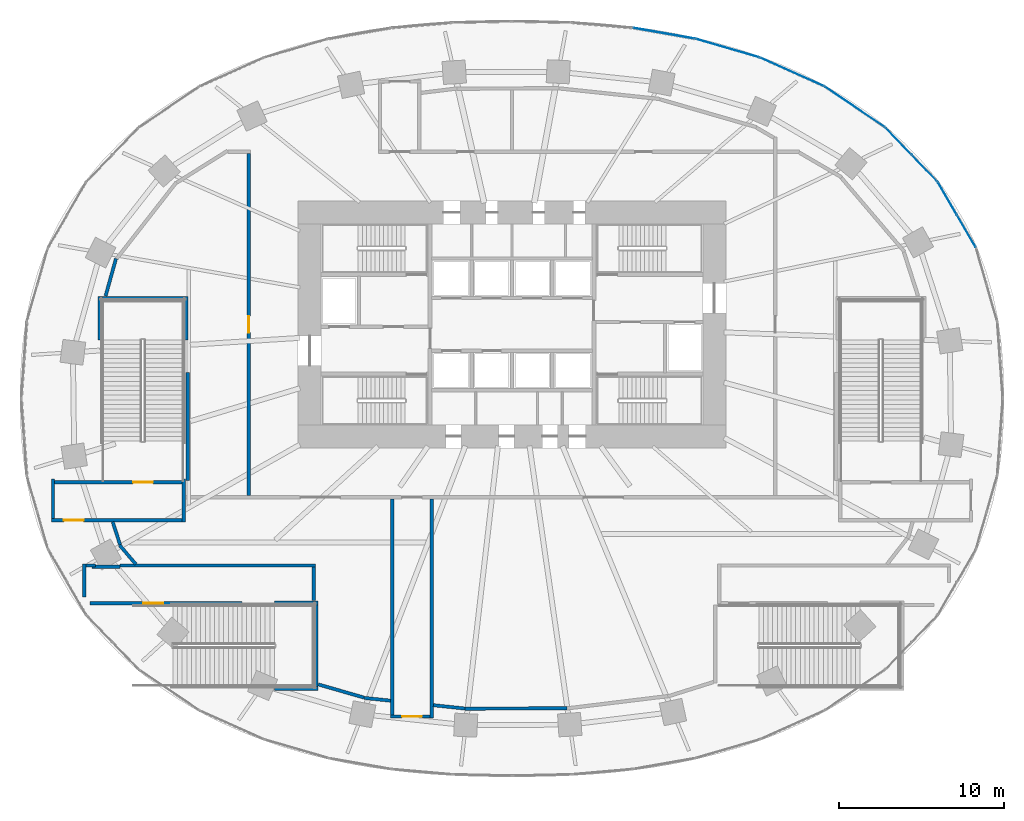
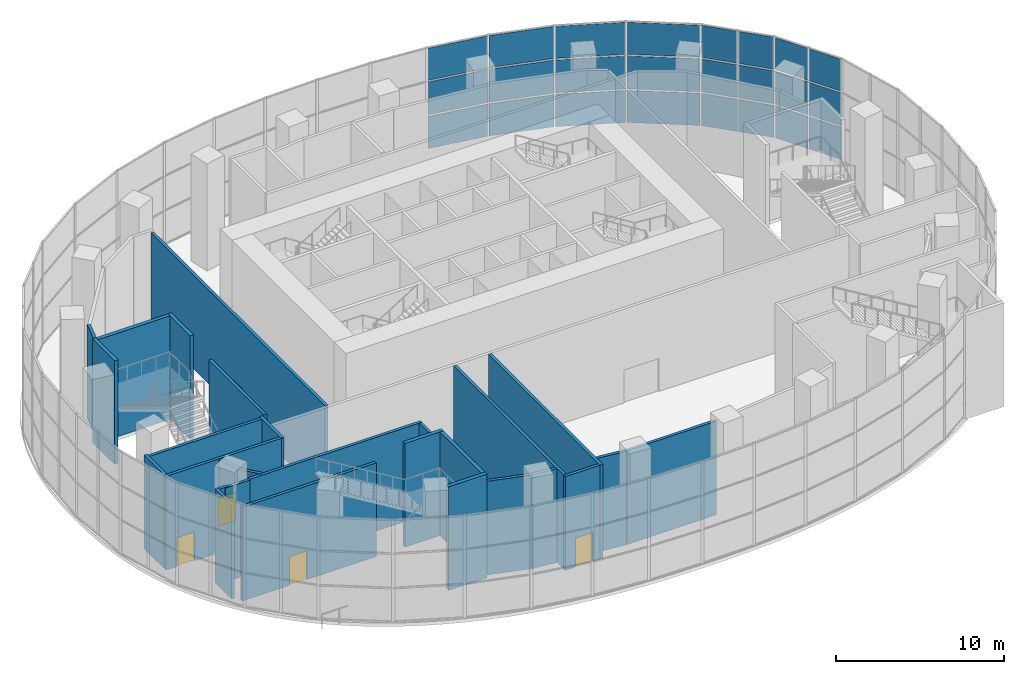
# One storey, part 13 of 22: 28 walls, 24 plates, 5 doors, 5 openings, 6 elements without a shape of their own.
"""IFC4 building model written with IfcOpenShell, lengths in metres."""

from ifc_helpers import new_model, si_unit, direction, frame, frame_2d, origin, origin_2d, place, context, subcontext, project, spatial, rectangle, extrude, material, layer, layer_set, type_object, element, fill, aggregate, save


model = new_model("IFC4")

# Units and contexts
model_context = context("Model", 3, precision=1e-05, world=origin(), true_north=direction((0.0, 1.0)))
body_context = subcontext(model_context, "Body", "Model", "MODEL_VIEW")
ifc_project = project(units=[si_unit("LENGTHUNIT", "METRE"), si_unit("AREAUNIT", "SQUARE_METRE"), si_unit("VOLUMEUNIT", "CUBIC_METRE"), si_unit("PLANEANGLEUNIT", "RADIAN"), si_unit("MASSUNIT", "GRAM", prefix="KILO")], contexts=[model_context])

# Site, building, storey
site_placement = place(None, origin())
site = spatial("IfcSite", under=ifc_project, at=site_placement, CompositionType="ELEMENT")
building_placement = place(site_placement, origin())
building = spatial("IfcBuilding", under=site, at=building_placement, Name="Rubra Terraces Tower", CompositionType="ELEMENT")
storey_placement = place(building_placement, frame((0.0, 0.0, 15.0)))
storey = spatial("IfcBuildingStorey", under=building, at=storey_placement, Name="L02", CompositionType="ELEMENT", Elevation=15.0)

# Curtain wall, plates
ifc_material_1 = material(Name="Aluminium and glass", Category="aluminium")
curtain_wall_type = type_object("IfcCurtainWallType", Name="Curtain wall Podium glazing", PredefinedType="NOTDEFINED", material=ifc_material_1)
curtain_wall_1_placement = place(storey_placement, origin())
curtain_wall_1 = element("IfcCurtainWall", 1, at=curtain_wall_1_placement, inside=storey, type_object=curtain_wall_type, Name="L02 glazing bay 3", PredefinedType="NOTDEFINED")
ifc_material_2 = material(Name="Clear glass, laminated", Category="glass")
ifc_layer_1 = layer(ifc_material_2, 0.028076171875)
ifc_layer_set_1 = layer_set([ifc_layer_1], Name="Clear glass, laminated")
plate_type = type_object("IfcPlateType", Name="Podium glazing glass panel 28", PredefinedType="CURTAIN_PANEL", material=ifc_layer_set_1)
plate_1_placement = place(storey_placement, frame((27.611083984375, 10.1669921875, 0.1201171875), z_axis=(0.0, 0.0, 1.0), x_axis=(-0.502094070187, 0.864813011398, 0.0)))
plate_1 = element("IfcPlate", 2, at=plate_1_placement, type_object=plate_type, Name="CW1 panel 1.1", PredefinedType="CURTAIN_PANEL", context=body_context, shape_type="SweptSolid", body=[
    extrude(rectangle(XDim=2.23828125, YDim=0.028076171875, at=origin_2d()), origin(), (0.0, 0.0, 1.0), 2.336669921875),
])
plate_2_placement = place(storey_placement, frame((27.611083984375, 10.1669921875, 2.57666015625), z_axis=(0.0, 0.0, 1.0), x_axis=(-0.502094070187, 0.864813011398, 0.0)))
plate_2 = element("IfcPlate", 3, at=plate_2_placement, type_object=plate_type, Name="CW1 panel 1.2", PredefinedType="CURTAIN_PANEL", context=body_context, shape_type="SweptSolid", body=[
    extrude(rectangle(XDim=2.23828125, YDim=0.028076171875, at=origin_2d()), origin(), (0.0, 0.0, 1.0), 2.396484375),
])
plate_3_placement = place(storey_placement, frame((27.611083984375, 10.1669921875, 5.09326171875), z_axis=(0.0, 0.0, 1.0), x_axis=(-0.502094070187, 0.864813011398, 0.0)))
plate_3 = element("IfcPlate", 4, at=plate_3_placement, type_object=plate_type, Name="CW1 panel 1.3", PredefinedType="CURTAIN_PANEL", context=body_context, shape_type="SweptSolid", body=[
    extrude(rectangle(XDim=2.23828125, YDim=0.028076171875, at=origin_2d()), origin(), (0.0, 0.0, 1.0), 2.336669921875),
])
plate_4_placement = place(storey_placement, frame((26.45703125, 12.154541015625, 0.1201171875), z_axis=(0.0, 0.0, 1.0), x_axis=(-0.502094070187, 0.864813011398, 0.0)))
plate_4 = element("IfcPlate", 5, at=plate_4_placement, type_object=plate_type, Name="CW1 panel 2.1", PredefinedType="CURTAIN_PANEL", context=body_context, shape_type="SweptSolid", body=[
    extrude(rectangle(XDim=2.23828125, YDim=0.028076171875, at=origin_2d()), origin(), (0.0, 0.0, 1.0), 2.336669921875),
])
plate_5_placement = place(storey_placement, frame((26.45703125, 12.154541015625, 2.57666015625), z_axis=(0.0, 0.0, 1.0), x_axis=(-0.502094070187, 0.864813011398, 0.0)))
plate_5 = element("IfcPlate", 6, at=plate_5_placement, type_object=plate_type, Name="CW1 panel 2.2", PredefinedType="CURTAIN_PANEL", context=body_context, shape_type="SweptSolid", body=[
    extrude(rectangle(XDim=2.23828125, YDim=0.028076171875, at=origin_2d()), origin(), (0.0, 0.0, 1.0), 2.396484375),
])
plate_6_placement = place(storey_placement, frame((26.45703125, 12.154541015625, 5.09326171875), z_axis=(0.0, 0.0, 1.0), x_axis=(-0.502094070187, 0.864813011398, 0.0)))
plate_6 = element("IfcPlate", 7, at=plate_6_placement, type_object=plate_type, Name="CW1 panel 2.3", PredefinedType="CURTAIN_PANEL", context=body_context, shape_type="SweptSolid", body=[
    extrude(rectangle(XDim=2.23828125, YDim=0.028076171875, at=origin_2d()), origin(), (0.0, 0.0, 1.0), 2.336669921875),
])
aggregate(curtain_wall_1, [plate_1, plate_2, plate_3, plate_4, plate_5, plate_6])

curtain_wall_2_placement = place(storey_placement, origin())
curtain_wall_2 = element("IfcCurtainWall", 8, at=curtain_wall_2_placement, inside=storey, type_object=curtain_wall_type, Name="L02 glazing bay 4", PredefinedType="NOTDEFINED")
plate_7_placement = place(storey_placement, frame((25.06787109375, 13.998046875, 0.1201171875), z_axis=(0.0, 0.0, 1.0), x_axis=(-0.69415569917, 0.71982488517, 0.0)))
plate_7 = element("IfcPlate", 9, at=plate_7_placement, type_object=plate_type, Name="CW1 panel 1.1", PredefinedType="CURTAIN_PANEL", context=body_context, shape_type="SweptSolid", body=[
    extrude(rectangle(XDim=2.20849609375, YDim=0.028076171875, at=origin_2d()), origin(), (0.0, 0.0, 1.0), 2.336669921875),
])
plate_8_placement = place(storey_placement, frame((25.06787109375, 13.998046875, 2.57666015625), z_axis=(0.0, 0.0, 1.0), x_axis=(-0.69415569917, 0.71982488517, 0.0)))
plate_8 = element("IfcPlate", 10, at=plate_8_placement, type_object=plate_type, Name="CW1 panel 1.2", PredefinedType="CURTAIN_PANEL", context=body_context, shape_type="SweptSolid", body=[
    extrude(rectangle(XDim=2.20849609375, YDim=0.028076171875, at=origin_2d()), origin(), (0.0, 0.0, 1.0), 2.396484375),
])
plate_9_placement = place(storey_placement, frame((25.06787109375, 13.998046875, 5.09326171875), z_axis=(0.0, 0.0, 1.0), x_axis=(-0.69415569917, 0.71982488517, 0.0)))
plate_9 = element("IfcPlate", 11, at=plate_9_placement, type_object=plate_type, Name="CW1 panel 1.3", PredefinedType="CURTAIN_PANEL", context=body_context, shape_type="SweptSolid", body=[
    extrude(rectangle(XDim=2.20849609375, YDim=0.028076171875, at=origin_2d()), origin(), (0.0, 0.0, 1.0), 2.336669921875),
])
plate_10_placement = place(storey_placement, frame((23.4931640625, 15.630859375, 0.1201171875), z_axis=(0.0, 0.0, 1.0), x_axis=(-0.69415569917, 0.71982488517, 0.0)))
plate_10 = element("IfcPlate", 12, at=plate_10_placement, type_object=plate_type, Name="CW1 panel 2.1", PredefinedType="CURTAIN_PANEL", context=body_context, shape_type="SweptSolid", body=[
    extrude(rectangle(XDim=2.20849609375, YDim=0.028076171875, at=origin_2d()), origin(), (0.0, 0.0, 1.0), 2.336669921875),
])
plate_11_placement = place(storey_placement, frame((23.4931640625, 15.630859375, 2.57666015625), z_axis=(0.0, 0.0, 1.0), x_axis=(-0.69415569917, 0.71982488517, 0.0)))
plate_11 = element("IfcPlate", 13, at=plate_11_placement, type_object=plate_type, Name="CW1 panel 2.2", PredefinedType="CURTAIN_PANEL", context=body_context, shape_type="SweptSolid", body=[
    extrude(rectangle(XDim=2.20849609375, YDim=0.028076171875, at=origin_2d()), origin(), (0.0, 0.0, 1.0), 2.396484375),
])
plate_12_placement = place(storey_placement, frame((23.4931640625, 15.630859375, 5.09326171875), z_axis=(0.0, 0.0, 1.0), x_axis=(-0.69415569917, 0.71982488517, 0.0)))
plate_12 = element("IfcPlate", 14, at=plate_12_placement, type_object=plate_type, Name="CW1 panel 2.3", PredefinedType="CURTAIN_PANEL", context=body_context, shape_type="SweptSolid", body=[
    extrude(rectangle(XDim=2.20849609375, YDim=0.028076171875, at=origin_2d()), origin(), (0.0, 0.0, 1.0), 2.336669921875),
])
aggregate(curtain_wall_2, [plate_7, plate_8, plate_9, plate_10, plate_11, plate_12])

curtain_wall_3_placement = place(storey_placement, origin())
curtain_wall_3 = element("IfcCurtainWall", 15, at=curtain_wall_3_placement, inside=storey, type_object=curtain_wall_type, Name="L02 glazing bay 5", PredefinedType="NOTDEFINED")
plate_13_placement = place(storey_placement, frame((20.840576171875, 17.711181640625, 0.1201171875), z_axis=(0.0, 0.0, 1.0), x_axis=(-0.828980654031, 0.55927727939, 0.0)))
plate_13 = element("IfcPlate", 16, at=plate_13_placement, type_object=plate_type, Name="CW1 panel 1.1", PredefinedType="CURTAIN_PANEL", context=body_context, shape_type="SweptSolid", body=[
    extrude(rectangle(XDim=4.35888671875, YDim=0.028076171875, at=origin_2d()), origin(), (0.0, 0.0, 1.0), 2.336669921875),
])
plate_14_placement = place(storey_placement, frame((20.840576171875, 17.711181640625, 2.57666015625), z_axis=(0.0, 0.0, 1.0), x_axis=(-0.828980654031, 0.55927727939, 0.0)))
plate_14 = element("IfcPlate", 17, at=plate_14_placement, type_object=plate_type, Name="CW1 panel 1.2", PredefinedType="CURTAIN_PANEL", context=body_context, shape_type="SweptSolid", body=[
    extrude(rectangle(XDim=4.35888671875, YDim=0.028076171875, at=origin_2d()), origin(), (0.0, 0.0, 1.0), 2.396484375),
])
plate_15_placement = place(storey_placement, frame((20.840576171875, 17.711181640625, 5.09326171875), z_axis=(0.0, 0.0, 1.0), x_axis=(-0.828980654031, 0.55927727939, 0.0)))
plate_15 = element("IfcPlate", 18, at=plate_15_placement, type_object=plate_type, Name="CW1 panel 1.3", PredefinedType="CURTAIN_PANEL", context=body_context, shape_type="SweptSolid", body=[
    extrude(rectangle(XDim=4.35888671875, YDim=0.028076171875, at=origin_2d()), origin(), (0.0, 0.0, 1.0), 2.336669921875),
])
aggregate(curtain_wall_3, [plate_13, plate_14, plate_15])

curtain_wall_4_placement = place(storey_placement, origin())
curtain_wall_4 = element("IfcCurtainWall", 19, at=curtain_wall_4_placement, inside=storey, type_object=curtain_wall_type, Name="L02 glazing bay 6", PredefinedType="NOTDEFINED")
plate_16_placement = place(storey_placement, frame((17.03271484375, 19.837158203125, 0.1201171875), z_axis=(0.0, 0.0, 1.0), x_axis=(-0.912551215254, 0.4089624427, 0.0)))
plate_16 = element("IfcPlate", 20, at=plate_16_placement, type_object=plate_type, Name="CW1 panel 1.1", PredefinedType="CURTAIN_PANEL", context=body_context, shape_type="SweptSolid", body=[
    extrude(rectangle(XDim=4.18115234375, YDim=0.028076171875, at=origin_2d()), origin(), (0.0, 0.0, 1.0), 2.336669921875),
])
plate_17_placement = place(storey_placement, frame((17.03271484375, 19.837158203125, 2.57666015625), z_axis=(0.0, 0.0, 1.0), x_axis=(-0.912551215254, 0.4089624427, 0.0)))
plate_17 = element("IfcPlate", 21, at=plate_17_placement, type_object=plate_type, Name="CW1 panel 1.2", PredefinedType="CURTAIN_PANEL", context=body_context, shape_type="SweptSolid", body=[
    extrude(rectangle(XDim=4.18115234375, YDim=0.028076171875, at=origin_2d()), origin(), (0.0, 0.0, 1.0), 2.396484375),
])
plate_18_placement = place(storey_placement, frame((17.03271484375, 19.837158203125, 5.09326171875), z_axis=(0.0, 0.0, 1.0), x_axis=(-0.912551215254, 0.4089624427, 0.0)))
plate_18 = element("IfcPlate", 22, at=plate_18_placement, type_object=plate_type, Name="CW1 panel 1.3", PredefinedType="CURTAIN_PANEL", context=body_context, shape_type="SweptSolid", body=[
    extrude(rectangle(XDim=4.18115234375, YDim=0.028076171875, at=origin_2d()), origin(), (0.0, 0.0, 1.0), 2.336669921875),
])
aggregate(curtain_wall_4, [plate_16, plate_17, plate_18])

curtain_wall_5_placement = place(storey_placement, origin())
curtain_wall_5 = element("IfcCurtainWall", 23, at=curtain_wall_5_placement, inside=storey, type_object=curtain_wall_type, Name="L02 glazing bay 7", PredefinedType="NOTDEFINED")
plate_19_placement = place(storey_placement, frame((13.115966796875, 21.284423828125, 0.1201171875), z_axis=(0.0, 0.0, 1.0), x_axis=(-0.96017502931, 0.279399200229, 0.0)))
plate_19 = element("IfcPlate", 24, at=plate_19_placement, type_object=plate_type, Name="CW1 panel 1.1", PredefinedType="CURTAIN_PANEL", context=body_context, shape_type="SweptSolid", body=[
    extrude(rectangle(XDim=3.970947265625, YDim=0.028076171875, at=origin_2d()), origin(), (0.0, 0.0, 1.0), 2.336669921875),
])
plate_20_placement = place(storey_placement, frame((13.115966796875, 21.284423828125, 2.57666015625), z_axis=(0.0, 0.0, 1.0), x_axis=(-0.96017502931, 0.279399200229, 0.0)))
plate_20 = element("IfcPlate", 25, at=plate_20_placement, type_object=plate_type, Name="CW1 panel 1.2", PredefinedType="CURTAIN_PANEL", context=body_context, shape_type="SweptSolid", body=[
    extrude(rectangle(XDim=3.970947265625, YDim=0.028076171875, at=origin_2d()), origin(), (0.0, 0.0, 1.0), 2.396484375),
])
plate_21_placement = place(storey_placement, frame((13.115966796875, 21.284423828125, 5.09326171875), z_axis=(0.0, 0.0, 1.0), x_axis=(-0.96017502931, 0.279399200229, 0.0)))
plate_21 = element("IfcPlate", 26, at=plate_21_placement, type_object=plate_type, Name="CW1 panel 1.3", PredefinedType="CURTAIN_PANEL", context=body_context, shape_type="SweptSolid", body=[
    extrude(rectangle(XDim=3.970947265625, YDim=0.028076171875, at=origin_2d()), origin(), (0.0, 0.0, 1.0), 2.336669921875),
])
aggregate(curtain_wall_5, [plate_19, plate_20, plate_21])

curtain_wall_6_placement = place(storey_placement, origin())
curtain_wall_6 = element("IfcCurtainWall", 27, at=curtain_wall_6_placement, inside=storey, type_object=curtain_wall_type, Name="L02 glazing bay 8", PredefinedType="NOTDEFINED")
plate_22_placement = place(storey_placement, frame((9.2451171875, 22.190185546875, 0.1201171875), z_axis=(0.0, 0.0, 1.0), x_axis=(-0.984953952909, 0.172816985997, 0.0)))
plate_22 = element("IfcPlate", 28, at=plate_22_placement, type_object=plate_type, Name="CW1 panel 1.1", PredefinedType="CURTAIN_PANEL", context=body_context, shape_type="SweptSolid", body=[
    extrude(rectangle(XDim=3.7685546875, YDim=0.028076171875, at=origin_2d()), origin(), (0.0, 0.0, 1.0), 2.336669921875),
])
plate_23_placement = place(storey_placement, frame((9.2451171875, 22.190185546875, 2.57666015625), z_axis=(0.0, 0.0, 1.0), x_axis=(-0.984953952909, 0.172816985997, 0.0)))
plate_23 = element("IfcPlate", 29, at=plate_23_placement, type_object=plate_type, Name="CW1 panel 1.2", PredefinedType="CURTAIN_PANEL", context=body_context, shape_type="SweptSolid", body=[
    extrude(rectangle(XDim=3.7685546875, YDim=0.028076171875, at=origin_2d()), origin(), (0.0, 0.0, 1.0), 2.396484375),
])
plate_24_placement = place(storey_placement, frame((9.2451171875, 22.190185546875, 5.09326171875), z_axis=(0.0, 0.0, 1.0), x_axis=(-0.984953952909, 0.172816985997, 0.0)))
plate_24 = element("IfcPlate", 30, at=plate_24_placement, type_object=plate_type, Name="CW1 panel 1.3", PredefinedType="CURTAIN_PANEL", context=body_context, shape_type="SweptSolid", body=[
    extrude(rectangle(XDim=3.7685546875, YDim=0.028076171875, at=origin_2d()), origin(), (0.0, 0.0, 1.0), 2.336669921875),
])
aggregate(curtain_wall_6, [plate_22, plate_23, plate_24])

# Wall
ifc_material_3 = material(Name="Blockwork", Category="masonry")
ifc_layer_2 = layer(ifc_material_3, 0.199951171875)
ifc_layer_set_2 = layer_set([ifc_layer_2], Name="Blockwork")
wall_type_1 = type_object("IfcWallType", Name="Corridor partition 200 blockwork", PredefinedType="PARTITIONING", material=ifc_layer_set_2)
wall_1_placement = place(storey_placement, frame((-19.949951171875, -4.89990234375, 0.0), z_axis=(0.0, 0.0, 1.0), x_axis=(0.0, -1.0, 0.0)))
element("IfcWall", 31, at=wall_1_placement, inside=storey, type_object=wall_type_1, Name="Partition wall", PredefinedType="PARTITIONING", context=body_context, shape_type="SweptSolid", body=[
    extrude(rectangle(XDim=2.60009765625, YDim=0.199951171875, at=frame_2d((1.300048828125, 0.0))), origin(), (0.0, 0.0, 1.0), 6.830078125),
])

# Wall, opening, door
wall_2_placement = place(storey_placement, frame((-20.050048828125, -7.39990234375, 0.0), z_axis=(0.0, 0.0, 1.0), x_axis=(-1.0, 0.0, 0.0)))
wall_2 = element("IfcWall", 32, at=wall_2_placement, inside=storey, type_object=wall_type_1, Name="Partition wall", PredefinedType="PARTITIONING", context=body_context, shape_type="SweptSolid", body=[
    extrude(rectangle(XDim=7.949951171875, YDim=0.199951171875, at=frame_2d((3.97509765625, 0.0))), origin(), (0.0, 0.0, 1.0), 6.830078125),
])
opening_1_placement = place(wall_2_placement, frame((5.97607421875, 0.0, 0.0)))
opening_1 = element("IfcOpeningElement", 33, at=opening_1_placement, cuts=wall_2, Name="Opening DB7", PredefinedType="OPENING", context=body_context, shape_type="SweptSolid", body=[
    extrude(rectangle(XDim=1.199951171875, YDim=2.10009765625, at=frame_2d((0.60009765625, 1.050048828125))), frame((0.0, 0.10986328125, 0.0), z_axis=(0.0, -1.0, 0.0), x_axis=(1.0, 0.0, 0.0)), (0.0, 0.0, 1.0), 0.219970703125),
])
ifc_material_4 = material(Name="Painted timber", Category="wood")
door_type_1 = type_object("IfcDoorType", Name="Door 1200x2100 single", OperationType="NOTDEFINED", PredefinedType="DOOR", material=ifc_material_4)
door_1_placement = place(opening_1_placement, origin())
door_1 = element("IfcDoor", 34, at=door_1_placement, inside=storey, type_object=door_type_1, Name="Door L02-06", OperationType="SINGLE_SWING_LEFT", OverallHeight=2.10009765625, OverallWidth=1.199951171875, PredefinedType="DOOR", context=body_context, shape_type="SweptSolid", body=[
    extrude(rectangle(XDim=1.199951171875, YDim=2.10009765625, at=frame_2d((0.60009765625, 1.050048828125))), frame((0.0, 0.02490234375, 0.0), z_axis=(0.0, -1.0, 0.0), x_axis=(1.0, 0.0, 0.0)), (0.0, 0.0, 1.0), 0.050048828125),
])
fill(opening_1, door_1)

# Wall
wall_3_placement = place(storey_placement, frame((-27.89990234375, -7.300048828125, 0.0), z_axis=(0.0, 0.0, 1.0), x_axis=(0.0, 1.0, 0.0)))
element("IfcWall", 35, at=wall_3_placement, inside=storey, type_object=wall_type_1, Name="Partition wall", PredefinedType="PARTITIONING", context=body_context, shape_type="SweptSolid", body=[
    extrude(rectangle(XDim=2.400146484375, YDim=0.199951171875, at=frame_2d((1.2001953125, 0.0))), origin(), (0.0, 0.0, 1.0), 6.830078125),
])

# Wall, opening, door
wall_4_placement = place(storey_placement, frame((-27.800048828125, -5.10009765625, 0.0), z_axis=(0.0, 0.0, 1.0), x_axis=(1.0, 0.0, 0.0)))
wall_4 = element("IfcWall", 36, at=wall_4_placement, inside=storey, type_object=wall_type_1, Name="Partition wall", PredefinedType="PARTITIONING", context=body_context, shape_type="SweptSolid", body=[
    extrude(rectangle(XDim=7.75, YDim=0.199951171875, at=frame_2d((3.875, 0.0))), origin(), (0.0, 0.0, 1.0), 6.830078125),
])
opening_2_placement = place(wall_4_placement, frame((4.77490234375, 0.0, 0.0)))
opening_2 = element("IfcOpeningElement", 37, at=opening_2_placement, cuts=wall_4, Name="Opening DB7", PredefinedType="OPENING", context=body_context, shape_type="SweptSolid", body=[
    extrude(rectangle(XDim=1.199951171875, YDim=2.10009765625, at=frame_2d((0.60009765625, 1.050048828125))), frame((0.0, 0.10986328125, 0.0), z_axis=(0.0, -1.0, 0.0), x_axis=(1.0, 0.0, 0.0)), (0.0, 0.0, 1.0), 0.219970703125),
])
door_2_placement = place(opening_2_placement, origin())
door_2 = element("IfcDoor", 38, at=door_2_placement, inside=storey, type_object=door_type_1, Name="Stair door L02-05", OperationType="SINGLE_SWING_LEFT", OverallHeight=2.10009765625, OverallWidth=1.199951171875, PredefinedType="DOOR", context=body_context, shape_type="SweptSolid", body=[
    extrude(rectangle(XDim=1.199951171875, YDim=2.10009765625, at=frame_2d((0.60009765625, 1.050048828125))), frame((0.0, 0.02490234375, 0.0), z_axis=(0.0, -1.0, 0.0), x_axis=(1.0, 0.0, 0.0)), (0.0, 0.0, 1.0), 0.050048828125),
])
fill(opening_2, door_2)

# Walls
wall_5_placement = place(storey_placement, frame((-25.52587890625, -10.23291015625, 0.0), z_axis=(0.0, 0.0, 1.0), x_axis=(1.0, 0.0, 0.0)))
element("IfcWall", 39, at=wall_5_placement, inside=storey, type_object=wall_type_1, Name="Partition wall", PredefinedType="PARTITIONING", context=body_context, shape_type="SweptSolid", body=[
    extrude(rectangle(XDim=1.699951171875, YDim=0.199951171875, at=frame_2d((0.85009765625, 0.0))), origin(), (0.0, 0.0, 1.0), 6.830078125),
])
wall_6_placement = place(storey_placement, frame((-23.825927734375, -10.14990234375, 0.0), z_axis=(0.0, 0.0, 1.0), x_axis=(1.0, 0.0, 0.0)))
element("IfcWall", 40, at=wall_6_placement, inside=storey, type_object=wall_type_1, Name="Partition wall", PredefinedType="PARTITIONING", context=body_context, shape_type="SweptSolid", body=[
    extrude(rectangle(XDim=11.885986328125, YDim=0.199951171875, at=frame_2d((5.94287109375, 0.0))), origin(), (0.0, 0.0, 1.0), 6.830078125),
])
wall_7_placement = place(storey_placement, frame((-12.0400390625, -10.25, 0.0), z_axis=(0.0, 0.0, 1.0), x_axis=(0.0, -1.0, 0.0)))
element("IfcWall", 41, at=wall_7_placement, inside=storey, type_object=wall_type_1, Name="Partition wall", PredefinedType="PARTITIONING", context=body_context, shape_type="SweptSolid", body=[
    extrude(rectangle(XDim=2.030029296875, YDim=0.199951171875, at=frame_2d((1.01513671875, 0.0))), origin(), (0.0, 0.0, 1.0), 6.830078125),
])

# Wall, opening, door
wall_8_placement = place(storey_placement, frame((-16.419921875, -12.449951171875, 0.0), z_axis=(0.0, 0.0, 1.0), x_axis=(-1.0, 0.0, 0.0)))
wall_8 = element("IfcWall", 42, at=wall_8_placement, inside=storey, type_object=wall_type_1, Name="Partition wall", PredefinedType="PARTITIONING", context=body_context, shape_type="SweptSolid", body=[
    extrude(rectangle(XDim=9.239990234375, YDim=0.199951171875, at=frame_2d((4.6201171875, 0.0))), origin(), (0.0, 0.0, 1.0), 6.830078125),
])
opening_3_placement = place(wall_8_placement, frame((4.780029296875, 0.0, 0.0)))
opening_3 = element("IfcOpeningElement", 43, at=opening_3_placement, cuts=wall_8, Name="Opening DB7", PredefinedType="OPENING", context=body_context, shape_type="SweptSolid", body=[
    extrude(rectangle(XDim=1.199951171875, YDim=2.10009765625, at=frame_2d((0.60009765625, 1.050048828125))), frame((0.0, 0.10986328125, 0.0), z_axis=(0.0, -1.0, 0.0), x_axis=(1.0, 0.0, 0.0)), (0.0, 0.0, 1.0), 0.219970703125),
])
door_3_placement = place(opening_3_placement, origin())
door_3 = element("IfcDoor", 44, at=door_3_placement, inside=storey, type_object=door_type_1, Name="Stair door L02-09", OperationType="SINGLE_SWING_LEFT", OverallHeight=2.10009765625, OverallWidth=1.199951171875, PredefinedType="DOOR", context=body_context, shape_type="SweptSolid", body=[
    extrude(rectangle(XDim=1.199951171875, YDim=2.10009765625, at=frame_2d((0.60009765625, 1.050048828125))), frame((0.0, 0.02490234375, 0.0), z_axis=(0.0, -1.0, 0.0), x_axis=(1.0, 0.0, 0.0)), (0.0, 0.0, 1.0), 0.050048828125),
])
fill(opening_3, door_3)

# Walls
wall_9_placement = place(storey_placement, frame((-26.0, -12.06298828125, 0.0), z_axis=(0.0, 0.0, 1.0), x_axis=(0.0, 1.0, 0.0)))
element("IfcWall", 45, at=wall_9_placement, inside=storey, type_object=wall_type_1, Name="Partition wall", PredefinedType="PARTITIONING", context=body_context, shape_type="SweptSolid", body=[
    extrude(rectangle(XDim=2.012939453125, YDim=0.199951171875, at=frame_2d((1.00634765625, 0.0))), origin(), (0.0, 0.0, 1.0), 6.830078125),
])
wall_10_placement = place(storey_placement, frame((-25.89990234375, -10.14990234375, 0.0), z_axis=(0.0, 0.0, 1.0), x_axis=(1.0, 0.0, 0.0)))
element("IfcWall", 46, at=wall_10_placement, inside=storey, type_object=wall_type_1, Name="Partition wall", PredefinedType="PARTITIONING", context=body_context, shape_type="SweptSolid", body=[
    extrude(rectangle(XDim=0.573974609375, YDim=0.199951171875, at=frame_2d((0.287109375, 0.0))), origin(), (0.0, 0.0, 1.0), 6.830078125),
])
wall_11_placement = place(storey_placement, frame((-4.8779296875, -6.10009765625, 0.0), z_axis=(0.0, 0.0, 1.0), x_axis=(0.0, -1.0, 0.0)))
element("IfcWall", 47, at=wall_11_placement, inside=storey, type_object=wall_type_1, Name="Partition wall", PredefinedType="PARTITIONING", context=body_context, shape_type="SweptSolid", body=[
    extrude(rectangle(XDim=13.330810546875, YDim=0.199951171875, at=frame_2d((6.66552734375, 0.0))), origin(), (0.0, 0.0, 1.0), 6.830078125),
])

# Wall, opening, door
wall_12_placement = place(storey_placement, frame((-4.97802734375, -19.3310546875, 0.0), z_axis=(0.0, 0.0, 1.0), x_axis=(-1.0, 0.0, 0.0)))
wall_12 = element("IfcWall", 48, at=wall_12_placement, inside=storey, type_object=wall_type_1, Name="Partition wall", PredefinedType="PARTITIONING", context=body_context, shape_type="SweptSolid", body=[
    extrude(rectangle(XDim=2.39990234375, YDim=0.199951171875, at=frame_2d((1.199951171875, 0.0))), origin(), (0.0, 0.0, 1.0), 6.830078125),
])
opening_4_placement = place(wall_12_placement, frame((0.5, 0.0, 0.0)))
opening_4 = element("IfcOpeningElement", 49, at=opening_4_placement, cuts=wall_12, Name="Opening DB7", PredefinedType="OPENING", context=body_context, shape_type="SweptSolid", body=[
    extrude(rectangle(XDim=1.199951171875, YDim=2.10009765625, at=frame_2d((0.60009765625, 1.050048828125))), frame((0.0, 0.10986328125, 0.0), z_axis=(0.0, -1.0, 0.0), x_axis=(1.0, 0.0, 0.0)), (0.0, 0.0, 1.0), 0.219970703125),
])
door_4_placement = place(opening_4_placement, origin())
door_4 = element("IfcDoor", 50, at=door_4_placement, inside=storey, type_object=door_type_1, Name="Door L02-04", OperationType="SINGLE_SWING_LEFT", OverallHeight=2.10009765625, OverallWidth=1.199951171875, PredefinedType="DOOR", context=body_context, shape_type="SweptSolid", body=[
    extrude(rectangle(XDim=1.199951171875, YDim=2.10009765625, at=frame_2d((0.60009765625, 1.050048828125))), frame((0.0, 0.02490234375, 0.0), z_axis=(0.0, -1.0, 0.0), x_axis=(1.0, 0.0, 0.0)), (0.0, 0.0, 1.0), 0.050048828125),
])
fill(opening_4, door_4)

# Walls
wall_13_placement = place(storey_placement, frame((-7.278076171875, -19.23095703125, 0.0), z_axis=(0.0, 0.0, 1.0), x_axis=(0.0, 1.0, 0.0)))
element("IfcWall", 51, at=wall_13_placement, inside=storey, type_object=wall_type_1, Name="Partition wall", PredefinedType="PARTITIONING", context=body_context, shape_type="SweptSolid", body=[
    extrude(rectangle(XDim=13.130859375, YDim=0.199951171875, at=frame_2d((6.5654296875, 0.0))), origin(), (0.0, 0.0, 1.0), 6.830078125),
])
wall_14_placement = place(storey_placement, frame((-24.697021484375, 6.22998046875, 0.0), z_axis=(0.0, 0.0, 1.0), x_axis=(0.267537104114, 0.963547558724, 0.0)))
element("IfcWall", 52, at=wall_14_placement, inside=storey, type_object=wall_type_1, Name="Partition wall", PredefinedType="PARTITIONING", context=body_context, shape_type="SweptSolid", body=[
    extrude(rectangle(XDim=2.35888671875, YDim=0.199951171875, at=frame_2d((1.179443359375, 0.0))), origin(), (0.0, 0.0, 1.0), 6.830078125),
])

# Wall, opening, door
wall_15_placement = place(storey_placement, frame((-16.0, 14.89990234375, 0.0), z_axis=(0.0, 0.0, 1.0), x_axis=(0.0, -1.0, 0.0)))
wall_15 = element("IfcWall", 53, at=wall_15_placement, inside=storey, type_object=wall_type_1, Name="Partition wall", PredefinedType="PARTITIONING", context=body_context, shape_type="SweptSolid", body=[
    extrude(rectangle(XDim=20.7998046875, YDim=0.199951171875, at=frame_2d((10.39990234375, 0.0))), origin(), (0.0, 0.0, 1.0), 6.830078125),
])
opening_5_placement = place(wall_15_placement, frame((9.89990234375, 0.0, 0.0)))
opening_5 = element("IfcOpeningElement", 54, at=opening_5_placement, cuts=wall_15, Name="Opening DB1", PredefinedType="OPENING", context=body_context, shape_type="SweptSolid", body=[
    extrude(rectangle(XDim=1.0, YDim=2.10009765625, at=frame_2d((0.5, 1.050048828125))), frame((0.0, 0.10986328125, 0.0), z_axis=(0.0, -1.0, 0.0), x_axis=(1.0, 0.0, 0.0)), (0.0, 0.0, 1.0), 0.219970703125),
])
door_type_2 = type_object("IfcDoorType", Name="Door 1000x2100 single", OperationType="NOTDEFINED", PredefinedType="DOOR", material=ifc_material_4)
door_5_placement = place(opening_5_placement, origin())
door_5 = element("IfcDoor", 55, at=door_5_placement, inside=storey, type_object=door_type_2, Name="Door L02-11", OperationType="SINGLE_SWING_LEFT", OverallHeight=2.10009765625, OverallWidth=1.0, PredefinedType="DOOR", context=body_context, shape_type="SweptSolid", body=[
    extrude(rectangle(XDim=1.0, YDim=2.10009765625, at=frame_2d((0.5, 1.050048828125))), frame((0.0, 0.02490234375, 0.0), z_axis=(0.0, -1.0, 0.0), x_axis=(1.0, 0.0, 0.0)), (0.0, 0.0, 1.0), 0.050048828125),
])
fill(opening_5, door_5)

# Walls
wall_16_placement = place(storey_placement, frame((3.345947265625, -18.823974609375, 0.0), z_axis=(0.0, 0.0, 1.0), x_axis=(-0.999988297333, -0.004837891778, 0.0)))
element("IfcWall", 56, at=wall_16_placement, inside=storey, type_object=wall_type_1, Name="Partition wall", PredefinedType="PARTITIONING", context=body_context, shape_type="SweptSolid", body=[
    extrude(rectangle(XDim=6.20703125, YDim=0.199951171875, at=frame_2d((3.103515625, 0.0))), origin(), (0.0, 0.0, 1.0), 6.830078125),
])
wall_17_placement = place(storey_placement, frame((-2.860107421875, -18.843994140625, 0.0), z_axis=(0.0, 0.0, 1.0), x_axis=(-0.994457513639, 0.105139210412, 0.0)))
element("IfcWall", 57, at=wall_17_placement, inside=storey, type_object=wall_type_1, Name="Partition wall", PredefinedType="PARTITIONING", context=body_context, shape_type="SweptSolid", body=[
    extrude(rectangle(XDim=1.9296875, YDim=0.199951171875, at=frame_2d((0.96484375, 0.0))), origin(), (0.0, 0.0, 1.0), 6.830078125),
])
wall_18_placement = place(storey_placement, frame((-7.376953125, -18.367919921875, 0.0), z_axis=(0.0, 0.0, 1.0), x_axis=(-0.994502173657, 0.104715932846, 0.0)))
element("IfcWall", 58, at=wall_18_placement, inside=storey, type_object=wall_type_1, Name="Partition wall", PredefinedType="PARTITIONING", context=body_context, shape_type="SweptSolid", body=[
    extrude(rectangle(XDim=1.632080078125, YDim=0.199951171875, at=frame_2d((0.81591796875, 0.0))), origin(), (0.0, 0.0, 1.0), 6.830078125),
])
wall_19_placement = place(storey_placement, frame((-8.9970703125, -18.178955078125, 0.0), z_axis=(0.0, 0.0, 1.0), x_axis=(-0.960718693411, 0.277524038834, 0.0)))
element("IfcWall", 59, at=wall_19_placement, inside=storey, type_object=wall_type_1, Name="Partition wall", PredefinedType="PARTITIONING", context=body_context, shape_type="SweptSolid", body=[
    extrude(rectangle(XDim=2.88623046875, YDim=0.199951171875, at=frame_2d((1.443115234375, 0.0))), origin(), (0.0, 0.0, 1.0), 6.830078125),
])
wall_20_placement = place(storey_placement, frame((-22.85888671875, -10.073974609375, 0.0), z_axis=(0.0, 0.0, 1.0), x_axis=(-0.648685680777, 0.761056428628, 0.0)))
element("IfcWall", 60, at=wall_20_placement, inside=storey, type_object=wall_type_1, Name="Partition wall", PredefinedType="PARTITIONING", context=body_context, shape_type="SweptSolid", body=[
    extrude(rectangle(XDim=1.529541015625, YDim=0.199951171875, at=frame_2d((0.7646484375, 0.0))), origin(), (0.0, 0.0, 1.0), 6.830078125),
])
wall_21_placement = place(storey_placement, frame((-23.81689453125, -8.89111328125, 0.0), z_axis=(0.0, 0.0, 1.0), x_axis=(-0.306321721395, 0.951928045076, 0.0)))
element("IfcWall", 61, at=wall_21_placement, inside=storey, type_object=wall_type_1, Name="Partition wall", PredefinedType="PARTITIONING", context=body_context, shape_type="SweptSolid", body=[
    extrude(rectangle(XDim=1.466552734375, YDim=0.199951171875, at=frame_2d((0.7333984375, 0.0))), origin(), (0.0, 0.0, 1.0), 6.830078125),
])
ifc_layer_3 = layer(ifc_material_3, 0.199951171875)
ifc_layer_set_3 = layer_set([ifc_layer_3], Name="Blockwork")
wall_type_2 = type_object("IfcWallType", Name="Room partition 200 blockwork", PredefinedType="PARTITIONING", material=ifc_layer_set_3)
wall_22_placement = place(storey_placement, frame((-19.699951171875, -5.0, 0.0), z_axis=(0.0, 0.0, 1.0), x_axis=(0.0, 1.0, 0.0)))
element("IfcWall", 62, at=wall_22_placement, inside=storey, type_object=wall_type_2, Name="Partition wall", PredefinedType="PARTITIONING", context=body_context, shape_type="SweptSolid", body=[
    extrude(rectangle(XDim=6.580078125, YDim=0.199951171875, at=frame_2d((3.2900390625, 0.0))), origin(), (0.0, 0.0, 1.0), 6.93408203125),
])
ifc_material_5 = material(Name="Concrete C40/50", Category="concrete")
ifc_layer_4 = layer(ifc_material_5, 0.25)
ifc_layer_set_4 = layer_set([ifc_layer_4], Name="Concrete C40/50")
wall_type_3 = type_object("IfcWallType", Name="Stair end wall 250 concrete", PredefinedType="SOLIDWALL", material=ifc_layer_set_4)
wall_23_placement = place(storey_placement, frame((-19.949951171875, 6.0849609375, 0.0), z_axis=(0.0, 0.0, 1.0), x_axis=(-1.0, 0.0, 0.0)))
element("IfcWall", 63, at=wall_23_placement, inside=storey, type_object=wall_type_3, Name="Stair end wall", PredefinedType="SOLIDWALL", context=body_context, shape_type="SweptSolid", body=[
    extrude(rectangle(XDim=4.949951171875, YDim=0.25, at=frame_2d((2.47509765625, 0.0))), origin(), (0.0, 0.0, 1.0), 7.550048828125),
])
for number, where, z_axis, x_axis, name in (
    (64, (-25.02490234375, 3.56005859375, 0.0), (0.0, 0.0, 1.0), (0.0, 1.0, 0.0), "Stair end wall"),
    (65, (-19.824951171875, 3.56005859375, 0.0), (0.0, 0.0, 1.0), (0.0, 1.0, 0.0), "Stair end wall"),
):
    element("IfcWall", number, at=place(storey_placement, frame(where, z_axis=z_axis, x_axis=x_axis)), inside=storey, type_object=wall_type_3, Name=name, PredefinedType="SOLIDWALL", context=body_context, shape_type="SweptSolid", body=[
        extrude(rectangle(XDim=2.64990234375, YDim=0.25, at=frame_2d((1.324951171875, 0.0))), origin(), (0.0, 0.0, 1.0), 7.550048828125),
    ])
wall_24_placement = place(storey_placement, frame((-11.9150390625, -17.5, 0.0), z_axis=(0.0, 0.0, 1.0), x_axis=(0.0, 1.0, 0.0)))
element("IfcWall", 66, at=wall_24_placement, inside=storey, type_object=wall_type_3, Name="Stair end wall", PredefinedType="SOLIDWALL", context=body_context, shape_type="SweptSolid", body=[
    extrude(rectangle(XDim=4.949951171875, YDim=0.25, at=frame_2d((2.47509765625, 0.0))), origin(), (0.0, 0.0, 1.0), 7.550048828125),
])
for number, where, z_axis, x_axis, name in (
    (67, (-14.43994140625, -17.625, 0.0), (0.0, 0.0, 1.0), (1.0, 0.0, 0.0), "Stair end wall"),
    (68, (-14.43994140625, -12.425048828125, 0.0), (0.0, 0.0, 1.0), (1.0, 0.0, 0.0), "Stair end wall"),
):
    element("IfcWall", number, at=place(storey_placement, frame(where, z_axis=z_axis, x_axis=x_axis)), inside=storey, type_object=wall_type_3, Name=name, PredefinedType="SOLIDWALL", context=body_context, shape_type="SweptSolid", body=[
        extrude(rectangle(XDim=2.64990234375, YDim=0.25, at=frame_2d((1.324951171875, 0.0))), origin(), (0.0, 0.0, 1.0), 7.550048828125),
    ])

save(model, "model.ifc")
